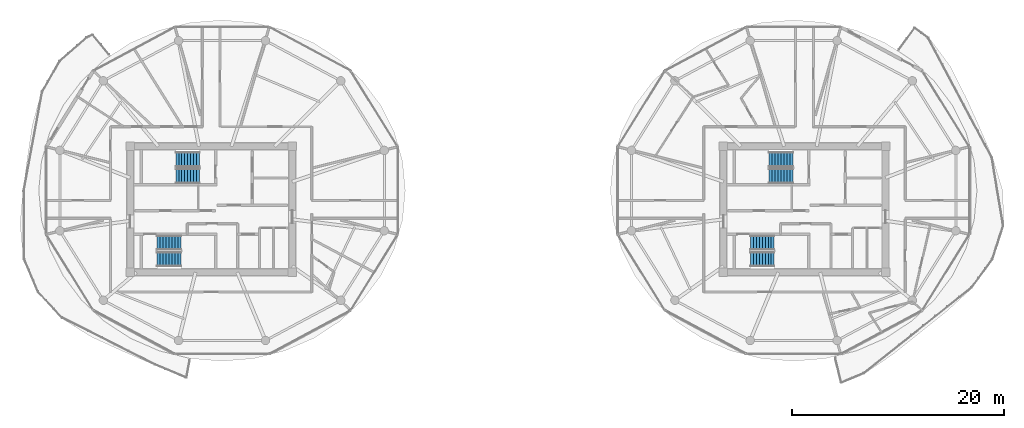
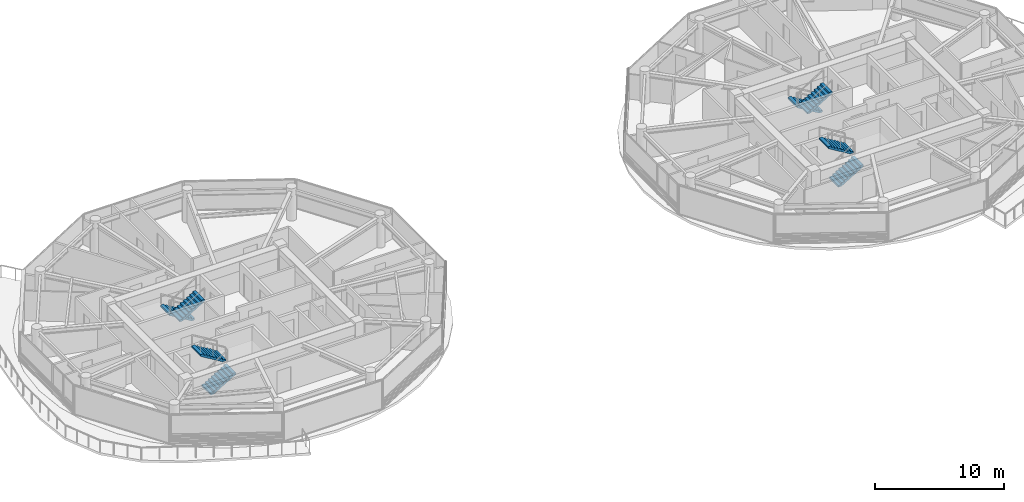
# One storey, part 18 of 23: 8 stair flights, 4 elements without a shape of their own.
"""IFC4 building model written with IfcOpenShell, lengths in metres."""

from ifc_helpers import new_model, si_unit, direction, frame, origin, place, context, subcontext, project, spatial, polyline, outline, extrude, material, type_object, element, aggregate, save


model = new_model("IFC4")

# Units and contexts
model_context = context("Model", 3, precision=1e-05, world=origin(), true_north=direction((0.0, 1.0)))
body_context = subcontext(model_context, "Body", "Model", "MODEL_VIEW")
ifc_project = project(units=[si_unit("LENGTHUNIT", "METRE"), si_unit("AREAUNIT", "SQUARE_METRE"), si_unit("VOLUMEUNIT", "CUBIC_METRE"), si_unit("PLANEANGLEUNIT", "RADIAN"), si_unit("MASSUNIT", "GRAM", prefix="KILO")], contexts=[model_context])

# Site, building, storey
site_placement = place(None, origin())
site = spatial("IfcSite", under=ifc_project, at=site_placement, CompositionType="ELEMENT")
building_placement = place(site_placement, origin())
building = spatial("IfcBuilding", under=site, at=building_placement, Name="Norrkilde Senior Care Towers", CompositionType="ELEMENT")
storey_placement = place(building_placement, frame((0.0, 0.0, 164.800048828125)))
storey = spatial("IfcBuildingStorey", under=building, at=storey_placement, Name="L51", CompositionType="ELEMENT", Elevation=164.800048828125)

# Stair, stair flights
ifc_material = material(Name="Concrete C45/55", Category="concrete")
stair_type = type_object("IfcStairType", Name="Core Protected Dogleg Stair Typical 3050", PredefinedType="HALF_TURN_STAIR", material=ifc_material)
stair_1_placement = place(storey_placement, origin())
stair_1 = element("IfcStair", 1, at=stair_1_placement, inside=storey, type_object=stair_type, Name="L51 Protected Core Stair W1", PredefinedType="HALF_TURN_STAIR")
stair_flight_type = type_object("IfcStairFlightType", Name="Core Protected Dogleg Stair Typical 3050 Flight", PredefinedType="STRAIGHT", material=ifc_material)
stair_flight_1_placement = place(storey_placement, frame((-29.10009765625, 4.699951171875, 0.0), z_axis=(0.0, 0.0, 1.0), x_axis=(-1.0, 0.0, 0.0)))
stair_flight_1 = element("IfcStairFlight", 2, at=stair_flight_1_placement, type_object=stair_flight_type, Name="ST-W1 flight 1", NumberOfRisers=9, NumberOfTreads=8, PredefinedType="STRAIGHT", RiserHeight=0.169444444, TreadLength=0.28, context=body_context, shape_type="SweptSolid", body=[
    extrude(outline(polyline([(0.0, 0.0), (0.0, 0.16943359375), (0.280029296875, 0.16943359375), (0.280029296875, 0.3388671875), (0.56005859375, 0.3388671875), (0.56005859375, 0.50830078125), (0.840087890625, 0.50830078125), (0.840087890625, 0.677734375), (1.1201171875, 0.677734375), (1.1201171875, 0.84716796875), (1.39990234375, 0.84716796875), (1.39990234375, 1.0166015625), (1.679931640625, 1.0166015625), (1.679931640625, 1.18603515625), (1.9599609375, 1.18603515625), (1.9599609375, 1.35546875), (2.239990234375, 1.35546875), (2.239990234375, 1.52490234375), (2.239990234375, 1.180419921875), (0.28955078125, 0.0), (0.0, 0.0)])), frame((0.0, 0.699951171875, 0.0), z_axis=(0.0, -1.0, 0.0), x_axis=(1.0, 0.0, 0.0)), (0.0, 0.0, 1.0), 1.39990234375),
])
stair_flight_2_placement = place(storey_placement, frame((-31.340087890625, 3.14990234375, 1.52490234375), z_axis=(0.0, 0.0, 1.0), x_axis=(1.0, 0.0, 0.0)))
stair_flight_2 = element("IfcStairFlight", 3, at=stair_flight_2_placement, type_object=stair_flight_type, Name="ST-W1 flight 2", NumberOfRisers=9, NumberOfTreads=8, PredefinedType="STRAIGHT", RiserHeight=0.169444444, TreadLength=0.28, context=body_context, shape_type="SweptSolid", body=[
    extrude(outline(polyline([(0.0, 0.0), (0.0, 0.16943359375), (0.280029296875, 0.16943359375), (0.280029296875, 0.3388671875), (0.56005859375, 0.3388671875), (0.56005859375, 0.50830078125), (0.840087890625, 0.50830078125), (0.840087890625, 0.677734375), (1.1201171875, 0.677734375), (1.1201171875, 0.84716796875), (1.39990234375, 0.84716796875), (1.39990234375, 1.0166015625), (1.679931640625, 1.0166015625), (1.679931640625, 1.18603515625), (1.9599609375, 1.18603515625), (1.9599609375, 1.35546875), (2.239990234375, 1.35546875), (2.239990234375, 1.52490234375), (2.239990234375, 1.180419921875), (0.28955078125, 0.0), (0.0, 0.0)])), frame((0.0, 0.699951171875, 0.0), z_axis=(0.0, -1.0, 0.0), x_axis=(1.0, 0.0, 0.0)), (0.0, 0.0, 1.0), 1.39990234375),
])
aggregate(stair_1, [stair_flight_1, stair_flight_2])

stair_2_placement = place(storey_placement, origin())
stair_2 = element("IfcStair", 4, at=stair_2_placement, inside=storey, type_object=stair_type, Name="L51 Protected Core Stair W2", PredefinedType="HALF_TURN_STAIR")
stair_flight_3_placement = place(storey_placement, frame((-33.10009765625, -4.699951171875, 0.0), z_axis=(0.0, 0.0, 1.0), x_axis=(1.0, 0.0, 0.0)))
stair_flight_3 = element("IfcStairFlight", 5, at=stair_flight_3_placement, type_object=stair_flight_type, Name="ST-W2 flight 1", NumberOfRisers=9, NumberOfTreads=8, PredefinedType="STRAIGHT", RiserHeight=0.169444444, TreadLength=0.28, context=body_context, shape_type="SweptSolid", body=[
    extrude(outline(polyline([(0.0, 0.0), (0.0, 0.16943359375), (0.280029296875, 0.16943359375), (0.280029296875, 0.3388671875), (0.56005859375, 0.3388671875), (0.56005859375, 0.50830078125), (0.840087890625, 0.50830078125), (0.840087890625, 0.677734375), (1.1201171875, 0.677734375), (1.1201171875, 0.84716796875), (1.39990234375, 0.84716796875), (1.39990234375, 1.0166015625), (1.679931640625, 1.0166015625), (1.679931640625, 1.18603515625), (1.9599609375, 1.18603515625), (1.9599609375, 1.35546875), (2.239990234375, 1.35546875), (2.239990234375, 1.52490234375), (2.239990234375, 1.180419921875), (0.28955078125, 0.0), (0.0, 0.0)])), frame((0.0, 0.699951171875, 0.0), z_axis=(0.0, -1.0, 0.0), x_axis=(1.0, 0.0, 0.0)), (0.0, 0.0, 1.0), 1.39990234375),
])
stair_flight_4_placement = place(storey_placement, frame((-30.860107421875, -3.14990234375, 1.52490234375), z_axis=(0.0, 0.0, 1.0), x_axis=(-1.0, 0.0, 0.0)))
stair_flight_4 = element("IfcStairFlight", 6, at=stair_flight_4_placement, type_object=stair_flight_type, Name="ST-W2 flight 2", NumberOfRisers=9, NumberOfTreads=8, PredefinedType="STRAIGHT", RiserHeight=0.169444444, TreadLength=0.28, context=body_context, shape_type="SweptSolid", body=[
    extrude(outline(polyline([(0.0, 0.0), (0.0, 0.16943359375), (0.280029296875, 0.16943359375), (0.280029296875, 0.3388671875), (0.56005859375, 0.3388671875), (0.56005859375, 0.50830078125), (0.840087890625, 0.50830078125), (0.840087890625, 0.677734375), (1.1201171875, 0.677734375), (1.1201171875, 0.84716796875), (1.39990234375, 0.84716796875), (1.39990234375, 1.0166015625), (1.679931640625, 1.0166015625), (1.679931640625, 1.18603515625), (1.9599609375, 1.18603515625), (1.9599609375, 1.35546875), (2.239990234375, 1.35546875), (2.239990234375, 1.52490234375), (2.239990234375, 1.180419921875), (0.28955078125, 0.0), (0.0, 0.0)])), frame((0.0, 0.699951171875, 0.0), z_axis=(0.0, -1.0, 0.0), x_axis=(1.0, 0.0, 0.0)), (0.0, 0.0, 1.0), 1.39990234375),
])
aggregate(stair_2, [stair_flight_3, stair_flight_4])

stair_3_placement = place(storey_placement, origin())
stair_3 = element("IfcStair", 7, at=stair_3_placement, inside=storey, type_object=stair_type, Name="L51 Protected Core Stair E1", PredefinedType="HALF_TURN_STAIR")
stair_flight_5_placement = place(storey_placement, frame((26.89990234375, 4.699951171875, 0.0), z_axis=(0.0, 0.0, 1.0), x_axis=(-1.0, 0.0, 0.0)))
stair_flight_5 = element("IfcStairFlight", 8, at=stair_flight_5_placement, type_object=stair_flight_type, Name="ST-E1 flight 1", NumberOfRisers=9, NumberOfTreads=8, PredefinedType="STRAIGHT", RiserHeight=0.169444444, TreadLength=0.28, context=body_context, shape_type="SweptSolid", body=[
    extrude(outline(polyline([(0.0, 0.0), (0.0, 0.16943359375), (0.280029296875, 0.16943359375), (0.280029296875, 0.3388671875), (0.56005859375, 0.3388671875), (0.56005859375, 0.50830078125), (0.840087890625, 0.50830078125), (0.840087890625, 0.677734375), (1.1201171875, 0.677734375), (1.1201171875, 0.84716796875), (1.39990234375, 0.84716796875), (1.39990234375, 1.0166015625), (1.679931640625, 1.0166015625), (1.679931640625, 1.18603515625), (1.9599609375, 1.18603515625), (1.9599609375, 1.35546875), (2.239990234375, 1.35546875), (2.239990234375, 1.52490234375), (2.239990234375, 1.180419921875), (0.28955078125, 0.0), (0.0, 0.0)])), frame((0.0, 0.699951171875, 0.0), z_axis=(0.0, -1.0, 0.0), x_axis=(1.0, 0.0, 0.0)), (0.0, 0.0, 1.0), 1.39990234375),
])
stair_flight_6_placement = place(storey_placement, frame((24.659912109375, 3.14990234375, 1.52490234375), z_axis=(0.0, 0.0, 1.0), x_axis=(1.0, 0.0, 0.0)))
stair_flight_6 = element("IfcStairFlight", 9, at=stair_flight_6_placement, type_object=stair_flight_type, Name="ST-E1 flight 2", NumberOfRisers=9, NumberOfTreads=8, PredefinedType="STRAIGHT", RiserHeight=0.169444444, TreadLength=0.28, context=body_context, shape_type="SweptSolid", body=[
    extrude(outline(polyline([(0.0, 0.0), (0.0, 0.16943359375), (0.280029296875, 0.16943359375), (0.280029296875, 0.3388671875), (0.56005859375, 0.3388671875), (0.56005859375, 0.50830078125), (0.840087890625, 0.50830078125), (0.840087890625, 0.677734375), (1.1201171875, 0.677734375), (1.1201171875, 0.84716796875), (1.39990234375, 0.84716796875), (1.39990234375, 1.0166015625), (1.679931640625, 1.0166015625), (1.679931640625, 1.18603515625), (1.9599609375, 1.18603515625), (1.9599609375, 1.35546875), (2.239990234375, 1.35546875), (2.239990234375, 1.52490234375), (2.239990234375, 1.180419921875), (0.28955078125, 0.0), (0.0, 0.0)])), frame((0.0, 0.699951171875, 0.0), z_axis=(0.0, -1.0, 0.0), x_axis=(1.0, 0.0, 0.0)), (0.0, 0.0, 1.0), 1.39990234375),
])
aggregate(stair_3, [stair_flight_5, stair_flight_6])

stair_4_placement = place(storey_placement, origin())
stair_4 = element("IfcStair", 10, at=stair_4_placement, inside=storey, type_object=stair_type, Name="L51 Protected Core Stair E2", PredefinedType="HALF_TURN_STAIR")
stair_flight_7_placement = place(storey_placement, frame((22.89990234375, -4.699951171875, 0.0), z_axis=(0.0, 0.0, 1.0), x_axis=(1.0, 0.0, 0.0)))
stair_flight_7 = element("IfcStairFlight", 11, at=stair_flight_7_placement, type_object=stair_flight_type, Name="ST-E2 flight 1", NumberOfRisers=9, NumberOfTreads=8, PredefinedType="STRAIGHT", RiserHeight=0.169444444, TreadLength=0.28, context=body_context, shape_type="SweptSolid", body=[
    extrude(outline(polyline([(0.0, 0.0), (0.0, 0.16943359375), (0.280029296875, 0.16943359375), (0.280029296875, 0.3388671875), (0.56005859375, 0.3388671875), (0.56005859375, 0.50830078125), (0.840087890625, 0.50830078125), (0.840087890625, 0.677734375), (1.1201171875, 0.677734375), (1.1201171875, 0.84716796875), (1.39990234375, 0.84716796875), (1.39990234375, 1.0166015625), (1.679931640625, 1.0166015625), (1.679931640625, 1.18603515625), (1.9599609375, 1.18603515625), (1.9599609375, 1.35546875), (2.239990234375, 1.35546875), (2.239990234375, 1.52490234375), (2.239990234375, 1.180419921875), (0.28955078125, 0.0), (0.0, 0.0)])), frame((0.0, 0.699951171875, 0.0), z_axis=(0.0, -1.0, 0.0), x_axis=(1.0, 0.0, 0.0)), (0.0, 0.0, 1.0), 1.39990234375),
])
stair_flight_8_placement = place(storey_placement, frame((25.139892578125, -3.14990234375, 1.52490234375), z_axis=(0.0, 0.0, 1.0), x_axis=(-1.0, 0.0, 0.0)))
stair_flight_8 = element("IfcStairFlight", 12, at=stair_flight_8_placement, type_object=stair_flight_type, Name="ST-E2 flight 2", NumberOfRisers=9, NumberOfTreads=8, PredefinedType="STRAIGHT", RiserHeight=0.169444444, TreadLength=0.28, context=body_context, shape_type="SweptSolid", body=[
    extrude(outline(polyline([(0.0, 0.0), (0.0, 0.16943359375), (0.280029296875, 0.16943359375), (0.280029296875, 0.3388671875), (0.56005859375, 0.3388671875), (0.56005859375, 0.50830078125), (0.840087890625, 0.50830078125), (0.840087890625, 0.677734375), (1.1201171875, 0.677734375), (1.1201171875, 0.84716796875), (1.39990234375, 0.84716796875), (1.39990234375, 1.0166015625), (1.679931640625, 1.0166015625), (1.679931640625, 1.18603515625), (1.9599609375, 1.18603515625), (1.9599609375, 1.35546875), (2.239990234375, 1.35546875), (2.239990234375, 1.52490234375), (2.239990234375, 1.180419921875), (0.28955078125, 0.0), (0.0, 0.0)])), frame((0.0, 0.699951171875, 0.0), z_axis=(0.0, -1.0, 0.0), x_axis=(1.0, 0.0, 0.0)), (0.0, 0.0, 1.0), 1.39990234375),
])
aggregate(stair_4, [stair_flight_7, stair_flight_8])

save(model, "model.ifc")
